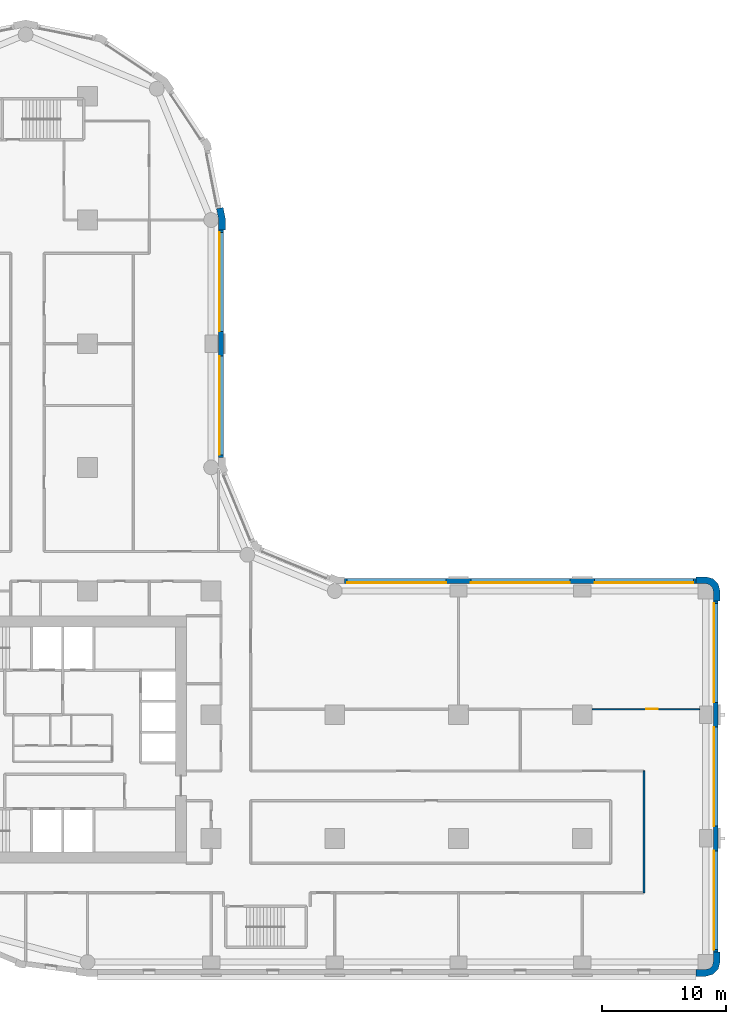
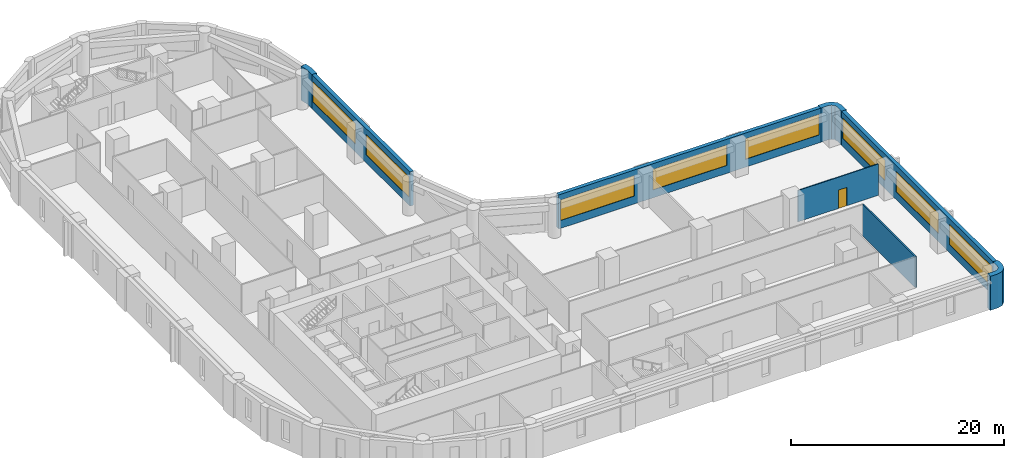
# One storey, part 6 of 10: 8 walls, 8 windows, 1 door, 9 openings.
"""IFC4 building model written with IfcOpenShell, lengths in metres."""

from ifc_helpers import new_model, si_unit, direction, frame, frame_2d, origin, place, context, subcontext, project, spatial, polyline, rectangle, outline, extrude, material, layer, layer_set, type_object, element, fill, save


model = new_model("IFC4")

# Units and contexts
model_context = context("Model", 3, precision=1e-05, world=origin(), true_north=direction((0.0, 1.0)))
body_context = subcontext(model_context, "Body", "Model", "MODEL_VIEW")
ifc_project = project(units=[si_unit("LENGTHUNIT", "METRE"), si_unit("AREAUNIT", "SQUARE_METRE"), si_unit("VOLUMEUNIT", "CUBIC_METRE"), si_unit("PLANEANGLEUNIT", "RADIAN"), si_unit("MASSUNIT", "GRAM", prefix="KILO")], contexts=[model_context])

# Site, building, storey
site_placement = place(None, origin())
site = spatial("IfcSite", under=ifc_project, at=site_placement, CompositionType="ELEMENT")
building_placement = place(site_placement, origin())
building = spatial("IfcBuilding", under=site, at=building_placement, Name="Qaws Garden Tower", CompositionType="ELEMENT")
storey_placement = place(building_placement, frame((0.0, 0.0, 105.60009765625)))
storey = spatial("IfcBuildingStorey", under=building, at=storey_placement, Name="L26", CompositionType="ELEMENT", Elevation=105.60009765625)

# Walls
ifc_material_1 = material(Name="Clay facing brick masonry", Category="masonry")
ifc_layer_1 = layer(ifc_material_1, 0.550048828125)
ifc_layer_set_1 = layer_set([ifc_layer_1], Name="Clay facing brick masonry")
wall_type_1 = type_object("IfcWallType", Name="Brick corner pier 550 x 2400", PredefinedType="SOLIDWALL", material=ifc_layer_set_1)
placement = place(storey_placement, origin())
element("IfcWall", 1, at=placement, inside=storey, type_object=wall_type_1, Name="E-L26-pier-05", PredefinedType="SOLIDWALL", context=body_context, shape_type="SweptSolid", body=[
    extrude(outline(polyline([(69.199951171875, -1.0), (69.199951171875, -1.14990234375), (70.0, -1.14990234375), (70.574951171875, -0.995849609375), (70.995849609375, -0.574951171875), (71.14990234375, 0.0), (71.14990234375, 0.800048828125), (71.0, 0.800048828125), (70.60009765625, 0.800048828125), (70.60009765625, 0.0), (70.51953125, -0.300048828125), (70.300048828125, -0.51953125), (70.0, -0.60009765625), (69.199951171875, -0.60009765625), (69.199951171875, -1.0)])), origin(), (0.0, 0.0, 1.0), 3.89990234375),
])
element("IfcWall", 2, at=placement, inside=storey, type_object=wall_type_1, Name="E-L26-pier-08", PredefinedType="SOLIDWALL", context=body_context, shape_type="SweptSolid", body=[
    extrude(outline(polyline([(71.0, 29.199951171875), (71.14990234375, 29.199951171875), (71.14990234375, 30.0), (70.995849609375, 30.574951171875), (70.574951171875, 30.995849609375), (70.0, 31.14990234375), (69.199951171875, 31.14990234375), (69.199951171875, 31.0), (69.199951171875, 30.60009765625), (70.0, 30.60009765625), (70.300048828125, 30.51953125), (70.51953125, 30.300048828125), (70.60009765625, 30.0), (70.60009765625, 29.199951171875), (71.0, 29.199951171875)])), origin(), (0.0, 0.0, 1.0), 3.89990234375),
])

# Wall, openings, windows
ifc_material_2 = material(Name="Clay facing brick masonry", Category="masonry")
ifc_layer_2 = layer(ifc_material_2, 0.39990234375)
ifc_layer_set_2 = layer_set([ifc_layer_2], Name="Clay facing brick masonry")
wall_type_2 = type_object("IfcWallType", Name="Brick infill wall 400", PredefinedType="SOLIDWALL", material=ifc_layer_set_2)
wall_3_placement = place(storey_placement, frame((70.800048828125, 0.800048828125, 0.0), z_axis=(0.0, 0.0, 1.0), x_axis=(0.0, 1.0, 0.0)))
wall_3 = element("IfcWall", 3, at=wall_3_placement, inside=storey, type_object=wall_type_2, Name="E-L26-infill-05", PredefinedType="SOLIDWALL", context=body_context, shape_type="SweptSolid", body=[
    extrude(rectangle(XDim=28.39990234375, YDim=0.39990234375, at=frame_2d((14.199951171875, 0.0))), origin(), (0.0, 0.0, 1.0), 3.89990234375),
])
opening_1_placement = place(wall_3_placement, frame((0.199951171875, 0.0, 0.89990234375)))
opening_1 = element("IfcOpeningElement", 4, at=opening_1_placement, cuts=wall_3, Name="Opening W01", PredefinedType="OPENING", context=body_context, shape_type="SweptSolid", body=[
    extrude(rectangle(XDim=8.0, YDim=2.35009765625, at=frame_2d((4.0, 1.175048828125))), frame((0.0, 0.2099609375, 0.0), z_axis=(0.0, -1.0, 0.0), x_axis=(1.0, 0.0, 0.0)), (0.0, 0.0, 1.0), 0.419921875),
])
opening_2_placement = place(wall_3_placement, frame((10.199951171875, 0.0, 0.89990234375)))
opening_2 = element("IfcOpeningElement", 5, at=opening_2_placement, cuts=wall_3, Name="Opening W01", PredefinedType="OPENING", context=body_context, shape_type="SweptSolid", body=[
    extrude(rectangle(XDim=8.0, YDim=2.35009765625, at=frame_2d((4.0, 1.175048828125))), frame((0.0, 0.2099609375, 0.0), z_axis=(0.0, -1.0, 0.0), x_axis=(1.0, 0.0, 0.0)), (0.0, 0.0, 1.0), 0.419921875),
])
opening_3_placement = place(wall_3_placement, frame((20.199951171875, 0.0, 0.89990234375)))
opening_3 = element("IfcOpeningElement", 6, at=opening_3_placement, cuts=wall_3, Name="Opening W01", PredefinedType="OPENING", context=body_context, shape_type="SweptSolid", body=[
    extrude(rectangle(XDim=8.0, YDim=2.35009765625, at=frame_2d((4.0, 1.175048828125))), frame((0.0, 0.2099609375, 0.0), z_axis=(0.0, -1.0, 0.0), x_axis=(1.0, 0.0, 0.0)), (0.0, 0.0, 1.0), 0.419921875),
])
ifc_material_3 = material(Name="Aluminium framed window, clear glazing", Category="aluminium")
window_type = type_object("IfcWindowType", Name="Ribbon window 8000 x 2350", PartitioningType="DOUBLE_PANEL_VERTICAL", PredefinedType="WINDOW", material=ifc_material_3)
window_1_placement = place(opening_1_placement, origin())
window_1 = element("IfcWindow", 7, at=window_1_placement, inside=storey, type_object=window_type, Name="E-L26-window-05-0", OverallHeight=2.35009765625, OverallWidth=8.0, PartitioningType="SINGLE_PANEL", PredefinedType="WINDOW", context=body_context, shape_type="SweptSolid", body=[
    extrude(rectangle(XDim=8.0, YDim=2.35009765625, at=frame_2d((4.0, 1.175048828125))), frame((0.0, 0.159912109375, 0.0), z_axis=(0.0, -1.0, 0.0), x_axis=(1.0, 0.0, 0.0)), (0.0, 0.0, 1.0), 0.06005859375),
])
fill(opening_1, window_1)
window_2_placement = place(opening_2_placement, origin())
window_2 = element("IfcWindow", 8, at=window_2_placement, inside=storey, type_object=window_type, Name="E-L26-window-06-0", OverallHeight=2.35009765625, OverallWidth=8.0, PartitioningType="SINGLE_PANEL", PredefinedType="WINDOW", context=body_context, shape_type="SweptSolid", body=[
    extrude(rectangle(XDim=8.0, YDim=2.35009765625, at=frame_2d((4.0, 1.175048828125))), frame((0.0, 0.159912109375, 0.0), z_axis=(0.0, -1.0, 0.0), x_axis=(1.0, 0.0, 0.0)), (0.0, 0.0, 1.0), 0.06005859375),
])
fill(opening_2, window_2)
window_3_placement = place(opening_3_placement, origin())
window_3 = element("IfcWindow", 9, at=window_3_placement, inside=storey, type_object=window_type, Name="E-L26-window-07-0", OverallHeight=2.35009765625, OverallWidth=8.0, PartitioningType="SINGLE_PANEL", PredefinedType="WINDOW", context=body_context, shape_type="SweptSolid", body=[
    extrude(rectangle(XDim=8.0, YDim=2.35009765625, at=frame_2d((4.0, 1.175048828125))), frame((0.0, 0.159912109375, 0.0), z_axis=(0.0, -1.0, 0.0), x_axis=(1.0, 0.0, 0.0)), (0.0, 0.0, 1.0), 0.06005859375),
])
fill(opening_3, window_3)

wall_4_placement = place(storey_placement, frame((69.199951171875, 30.800048828125, 0.0), z_axis=(0.0, 0.0, 1.0), x_axis=(-1.0, 0.0, 0.0)))
wall_4 = element("IfcWall", 10, at=wall_4_placement, inside=storey, type_object=wall_type_2, Name="E-L26-infill-08", PredefinedType="SOLIDWALL", context=body_context, shape_type="SweptSolid", body=[
    extrude(rectangle(XDim=28.39990234375, YDim=0.39990234375, at=frame_2d((14.199951171875, 0.0))), origin(), (0.0, 0.0, 1.0), 3.89990234375),
])
opening_4_placement = place(wall_4_placement, frame((0.199951171875, 0.0, 0.89990234375)))
opening_4 = element("IfcOpeningElement", 11, at=opening_4_placement, cuts=wall_4, Name="Opening W01", PredefinedType="OPENING", context=body_context, shape_type="SweptSolid", body=[
    extrude(rectangle(XDim=8.0, YDim=2.35009765625, at=frame_2d((4.0, 1.175048828125))), frame((0.0, 0.2099609375, 0.0), z_axis=(0.0, -1.0, 0.0), x_axis=(1.0, 0.0, 0.0)), (0.0, 0.0, 1.0), 0.419921875),
])
opening_5_placement = place(wall_4_placement, frame((10.199951171875, 0.0, 0.89990234375)))
opening_5 = element("IfcOpeningElement", 12, at=opening_5_placement, cuts=wall_4, Name="Opening W01", PredefinedType="OPENING", context=body_context, shape_type="SweptSolid", body=[
    extrude(rectangle(XDim=8.0, YDim=2.35009765625, at=frame_2d((4.0, 1.175048828125))), frame((0.0, 0.2099609375, 0.0), z_axis=(0.0, -1.0, 0.0), x_axis=(1.0, 0.0, 0.0)), (0.0, 0.0, 1.0), 0.419921875),
])
opening_6_placement = place(wall_4_placement, frame((20.199951171875, 0.0, 0.89990234375)))
opening_6 = element("IfcOpeningElement", 13, at=opening_6_placement, cuts=wall_4, Name="Opening W01", PredefinedType="OPENING", context=body_context, shape_type="SweptSolid", body=[
    extrude(rectangle(XDim=8.0, YDim=2.35009765625, at=frame_2d((4.0, 1.175048828125))), frame((0.0, 0.2099609375, 0.0), z_axis=(0.0, -1.0, 0.0), x_axis=(1.0, 0.0, 0.0)), (0.0, 0.0, 1.0), 0.419921875),
])
window_4_placement = place(opening_4_placement, origin())
window_4 = element("IfcWindow", 14, at=window_4_placement, inside=storey, type_object=window_type, Name="E-L26-window-08-0", OverallHeight=2.35009765625, OverallWidth=8.0, PartitioningType="SINGLE_PANEL", PredefinedType="WINDOW", context=body_context, shape_type="SweptSolid", body=[
    extrude(rectangle(XDim=8.0, YDim=2.35009765625, at=frame_2d((4.0, 1.175048828125))), frame((0.0, 0.159912109375, 0.0), z_axis=(0.0, -1.0, 0.0), x_axis=(1.0, 0.0, 0.0)), (0.0, 0.0, 1.0), 0.06005859375),
])
fill(opening_4, window_4)
window_5_placement = place(opening_5_placement, origin())
window_5 = element("IfcWindow", 15, at=window_5_placement, inside=storey, type_object=window_type, Name="E-L26-window-09-0", OverallHeight=2.35009765625, OverallWidth=8.0, PartitioningType="SINGLE_PANEL", PredefinedType="WINDOW", context=body_context, shape_type="SweptSolid", body=[
    extrude(rectangle(XDim=8.0, YDim=2.35009765625, at=frame_2d((4.0, 1.175048828125))), frame((0.0, 0.159912109375, 0.0), z_axis=(0.0, -1.0, 0.0), x_axis=(1.0, 0.0, 0.0)), (0.0, 0.0, 1.0), 0.06005859375),
])
fill(opening_5, window_5)
window_6_placement = place(opening_6_placement, origin())
window_6 = element("IfcWindow", 16, at=window_6_placement, inside=storey, type_object=window_type, Name="E-L26-window-10-0", OverallHeight=2.35009765625, OverallWidth=8.0, PartitioningType="SINGLE_PANEL", PredefinedType="WINDOW", context=body_context, shape_type="SweptSolid", body=[
    extrude(rectangle(XDim=8.0, YDim=2.35009765625, at=frame_2d((4.0, 1.175048828125))), frame((0.0, 0.159912109375, 0.0), z_axis=(0.0, -1.0, 0.0), x_axis=(1.0, 0.0, 0.0)), (0.0, 0.0, 1.0), 0.06005859375),
])
fill(opening_6, window_6)

wall_5_placement = place(storey_placement, frame((30.800048828125, 40.800048828125, 0.0), z_axis=(0.0, 0.0, 1.0), x_axis=(0.0, 1.0, 0.0)))
wall_5 = element("IfcWall", 17, at=wall_5_placement, inside=storey, type_object=wall_type_2, Name="E-L26-infill-13", PredefinedType="SOLIDWALL", context=body_context, shape_type="SweptSolid", body=[
    extrude(rectangle(XDim=18.39990234375, YDim=0.39990234375, at=frame_2d((9.199951171875, 0.0))), origin(), (0.0, 0.0, 1.0), 3.89990234375),
])
opening_7_placement = place(wall_5_placement, frame((0.199951171875, 0.0, 0.89990234375)))
opening_7 = element("IfcOpeningElement", 18, at=opening_7_placement, cuts=wall_5, Name="Opening W01", PredefinedType="OPENING", context=body_context, shape_type="SweptSolid", body=[
    extrude(rectangle(XDim=8.0, YDim=2.35009765625, at=frame_2d((4.0, 1.175048828125))), frame((0.0, 0.2099609375, 0.0), z_axis=(0.0, -1.0, 0.0), x_axis=(1.0, 0.0, 0.0)), (0.0, 0.0, 1.0), 0.419921875),
])
opening_8_placement = place(wall_5_placement, frame((10.199951171875, 0.0, 0.89990234375)))
opening_8 = element("IfcOpeningElement", 19, at=opening_8_placement, cuts=wall_5, Name="Opening W01", PredefinedType="OPENING", context=body_context, shape_type="SweptSolid", body=[
    extrude(rectangle(XDim=8.0, YDim=2.35009765625, at=frame_2d((4.0, 1.175048828125))), frame((0.0, 0.2099609375, 0.0), z_axis=(0.0, -1.0, 0.0), x_axis=(1.0, 0.0, 0.0)), (0.0, 0.0, 1.0), 0.419921875),
])
window_7_placement = place(opening_7_placement, origin())
window_7 = element("IfcWindow", 20, at=window_7_placement, inside=storey, type_object=window_type, Name="E-L26-window-13-0", OverallHeight=2.35009765625, OverallWidth=8.0, PartitioningType="SINGLE_PANEL", PredefinedType="WINDOW", context=body_context, shape_type="SweptSolid", body=[
    extrude(rectangle(XDim=8.0, YDim=2.35009765625, at=frame_2d((4.0, 1.175048828125))), frame((0.0, 0.159912109375, 0.0), z_axis=(0.0, -1.0, 0.0), x_axis=(1.0, 0.0, 0.0)), (0.0, 0.0, 1.0), 0.06005859375),
])
fill(opening_7, window_7)
window_8_placement = place(opening_8_placement, origin())
window_8 = element("IfcWindow", 21, at=window_8_placement, inside=storey, type_object=window_type, Name="E-L26-window-14-0", OverallHeight=2.35009765625, OverallWidth=8.0, PartitioningType="SINGLE_PANEL", PredefinedType="WINDOW", context=body_context, shape_type="SweptSolid", body=[
    extrude(rectangle(XDim=8.0, YDim=2.35009765625, at=frame_2d((4.0, 1.175048828125))), frame((0.0, 0.159912109375, 0.0), z_axis=(0.0, -1.0, 0.0), x_axis=(1.0, 0.0, 0.0)), (0.0, 0.0, 1.0), 0.06005859375),
])
fill(opening_8, window_8)

# Wall
ifc_material_4 = material(Name="Clay facing brick masonry", Category="masonry")
ifc_layer_3 = layer(ifc_material_4, 0.550048828125)
ifc_layer_set_3 = layer_set([ifc_layer_3], Name="Clay facing brick masonry")
wall_type_3 = type_object("IfcWallType", Name="Brick pier 550 x 1600", PredefinedType="SOLIDWALL", material=ifc_layer_set_3)
element("IfcWall", 22, at=placement, inside=storey, type_object=wall_type_3, Name="E-L26-pier-15", PredefinedType="SOLIDWALL", context=body_context, shape_type="SweptSolid", body=[
    extrude(outline(polyline([(31.0, 59.199951171875), (31.14990234375, 59.199951171875), (31.14990234375, 60.11328125), (30.971923828125, 61.009033203125), (30.82470703125, 60.979736328125), (30.432373046875, 60.901611328125), (30.60009765625, 60.05908203125), (30.60009765625, 59.199951171875), (31.0, 59.199951171875)])), origin(), (0.0, 0.0, 1.0), 3.89990234375),
])

# Wall, opening, door
ifc_material_5 = material(Name="Gypsum board partition")
ifc_layer_4 = layer(ifc_material_5, 0.10009765625)
ifc_layer_set_4 = layer_set([ifc_layer_4], Name="Gypsum board partition")
wall_type_4 = type_object("IfcWallType", Name="PARTITION 100", PredefinedType="PARTITIONING", material=ifc_layer_set_4)
wall_7_placement = place(storey_placement, frame((60.800048828125, 20.449951171875, 0.0), z_axis=(0.0, 0.0, 1.0), x_axis=(1.0, 0.0, 0.0)))
wall_7 = element("IfcWall", 23, at=wall_7_placement, inside=storey, type_object=wall_type_4, Name="O-L26-wall-003", PredefinedType="PARTITIONING", context=body_context, shape_type="SweptSolid", body=[
    extrude(rectangle(XDim=8.699951171875, YDim=0.10009765625, at=frame_2d((4.35009765625, 0.0))), origin(), (0.0, 0.0, 1.0), 3.579833984375),
])
opening_9_placement = place(wall_7_placement, frame((4.39990234375, 0.0, 0.0)))
opening_9 = element("IfcOpeningElement", 24, at=opening_9_placement, cuts=wall_7, Name="Opening A927", PredefinedType="OPENING", context=body_context, shape_type="SweptSolid", body=[
    extrude(rectangle(XDim=0.89990234375, YDim=2.10009765625, at=frame_2d((0.449951171875, 1.050048828125))), frame((0.0, 0.06005859375, 0.0), z_axis=(0.0, -1.0, 0.0), x_axis=(1.0, 0.0, 0.0)), (0.0, 0.0, 1.0), 0.1201171875),
])
ifc_material_6 = material(Name="Timber door leaf", Category="wood")
door_type = type_object("IfcDoorType", Name="OFFICE DOOR 900 X 2100", OperationType="SINGLE_SWING_LEFT", PredefinedType="DOOR", material=ifc_material_6)
door_placement = place(opening_9_placement, frame((0.89990234375, 0.0, 0.0), z_axis=(0.0, 0.0, 1.0), x_axis=(-1.0, 0.0, 0.0)))
door = element("IfcDoor", 25, at=door_placement, inside=storey, type_object=door_type, Name="O-L26-door-027", OperationType="SINGLE_SWING_RIGHT", OverallHeight=2.10009765625, OverallWidth=0.89990234375, PredefinedType="DOOR", context=body_context, shape_type="SweptSolid", body=[
    extrude(rectangle(XDim=0.89990234375, YDim=2.10009765625, at=frame_2d((0.449951171875, 1.050048828125))), frame((0.0, 0.02490234375, 0.0), z_axis=(0.0, -1.0, 0.0), x_axis=(1.0, 0.0, 0.0)), (0.0, 0.0, 1.0), 0.050048828125),
])
fill(opening_9, door)

# Wall
ifc_material_7 = material(Name="Gypsum board partition")
ifc_layer_5 = layer(ifc_material_7, 0.14990234375)
ifc_layer_set_5 = layer_set([ifc_layer_5], Name="Gypsum board partition")
wall_type_5 = type_object("IfcWallType", Name="PARTITION 150 EI 60", PredefinedType="PARTITIONING", material=ifc_layer_set_5)
wall_8_placement = place(storey_placement, frame((65.0, 5.60009765625, 0.0), z_axis=(0.0, 0.0, 1.0), x_axis=(0.0, 1.0, 0.0)))
element("IfcWall", 26, at=wall_8_placement, inside=storey, type_object=wall_type_5, Name="O-L26-wall-035", PredefinedType="PARTITIONING", context=body_context, shape_type="SweptSolid", body=[
    extrude(rectangle(XDim=9.849853515625, YDim=0.14990234375, at=frame_2d((4.9248046875, 0.0))), origin(), (0.0, 0.0, 1.0), 3.579833984375),
])

save(model, "model.ifc")
